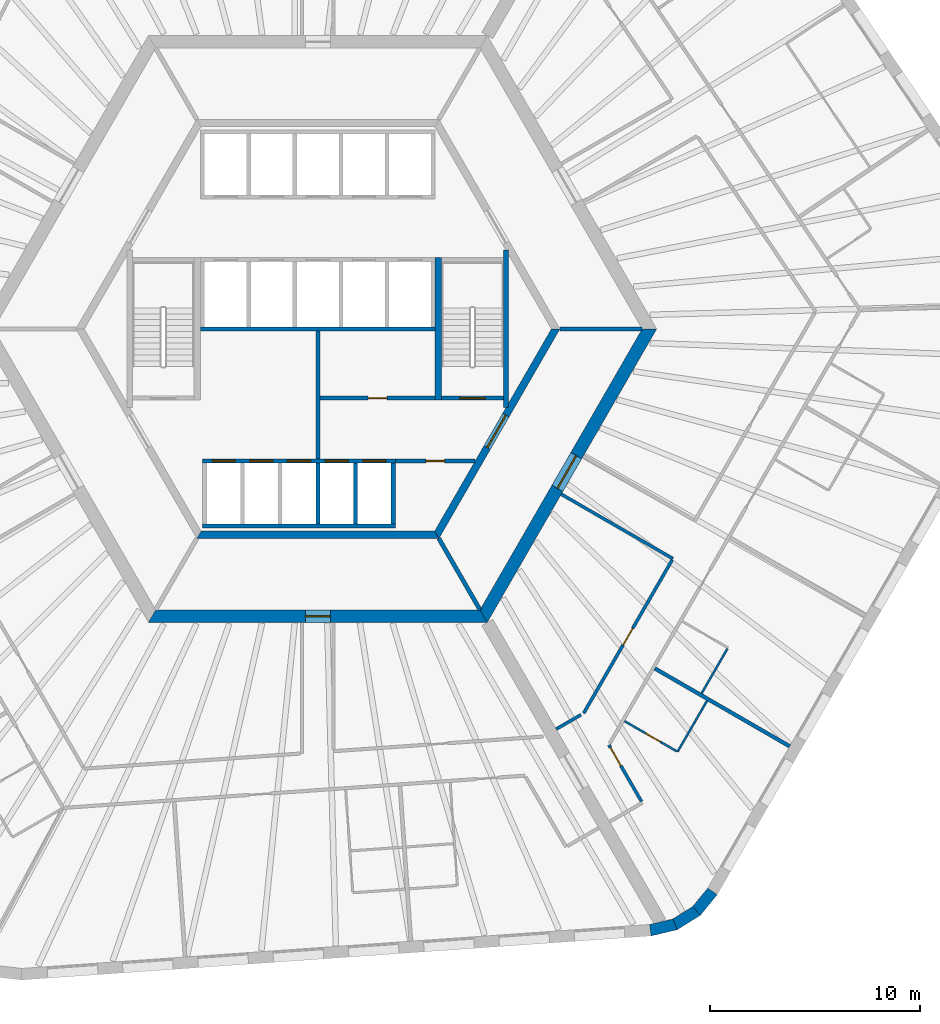
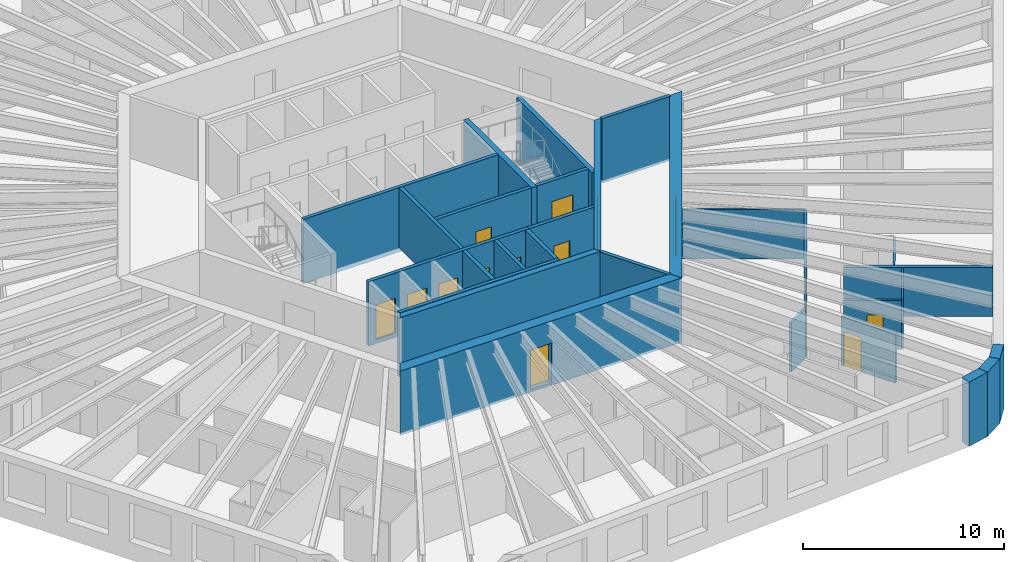
# One storey, part 5 of 11: 29 walls, 14 doors, 14 openings.
"""IFC4 building model written with IfcOpenShell, lengths in metres."""

from ifc_helpers import new_model, si_unit, direction, frame, frame_2d, origin, place, context, subcontext, project, spatial, polyline, rectangle, outline, extrude, material, layer, layer_set, type_object, element, fill, save


model = new_model("IFC4")

# Units and contexts
model_context = context("Model", 3, precision=1e-05, world=origin(), true_north=direction((0.0, 1.0)))
body_context = subcontext(model_context, "Body", "Model", "MODEL_VIEW")
ifc_project = project(units=[si_unit("LENGTHUNIT", "METRE"), si_unit("AREAUNIT", "SQUARE_METRE"), si_unit("VOLUMEUNIT", "CUBIC_METRE"), si_unit("PLANEANGLEUNIT", "RADIAN"), si_unit("MASSUNIT", "GRAM", prefix="KILO")], contexts=[model_context])

# Site, building, storey
site_placement = place(None, origin())
site = spatial("IfcSite", under=ifc_project, at=site_placement, CompositionType="ELEMENT")
building_placement = place(site_placement, origin())
building = spatial("IfcBuilding", under=site, at=building_placement, Name="Tarnside Tower", CompositionType="ELEMENT")
storey_placement = place(building_placement, frame((0.0, 0.0, 41.39990234375)))
storey = spatial("IfcBuildingStorey", under=building, at=storey_placement, Name="L07", CompositionType="ELEMENT", Elevation=41.39990234375)

# Wall
ifc_material_1 = material(Name="Gypsum board partition on steel studs", Category="steel")
ifc_layer_1 = layer(ifc_material_1, 0.10009765625)
ifc_layer_set_1 = layer_set([ifc_layer_1], Name="Bathroom wall 100")
wall_type_1 = type_object("IfcWallType", Name="Bathroom wall 100", PredefinedType="PARTITIONING", material=ifc_layer_set_1)
wall_1_placement = place(storey_placement, frame((18.56787109375, -17.739501953125, 0.0), z_axis=(0.0, 0.0, 1.0), x_axis=(-0.499998209175, -0.866026437715, 0.0)))
element("IfcWall", 1, at=wall_1_placement, inside=storey, type_object=wall_type_1, Name="Bathroom wall 01127", PredefinedType="PARTITIONING", context=body_context, shape_type="SweptSolid", body=[
    extrude(rectangle(XDim=2.81005859375, YDim=0.10009765625, at=frame_2d((1.405029296875, 0.0))), origin(), (0.0, 0.0, 1.0), 2.98779296875),
])

# Wall, opening, door
wall_2_placement = place(storey_placement, frame((17.11962890625, -20.14794921875, 0.0), z_axis=(0.0, 0.0, 1.0), x_axis=(-0.866039941686, 0.499974818771, 0.0)))
wall_2 = element("IfcWall", 2, at=wall_2_placement, inside=storey, type_object=wall_type_1, Name="Bathroom wall 01128", PredefinedType="PARTITIONING", context=body_context, shape_type="SweptSolid", body=[
    extrude(rectangle(XDim=2.875244140625, YDim=0.10009765625, at=frame_2d((1.4375, 0.0))), origin(), (0.0, 0.0, 1.0), 2.98779296875),
])
opening_1_placement = place(wall_2_placement, frame((0.89990234375, 0.0, 0.0)))
opening_1 = element("IfcOpeningElement", 3, at=opening_1_placement, cuts=wall_2, Name="Opening D-B1", PredefinedType="OPENING", context=body_context, shape_type="SweptSolid", body=[
    extrude(rectangle(XDim=0.800048828125, YDim=2.10009765625, at=frame_2d((0.39990234375, 1.050048828125))), frame((0.0, 0.06005859375, 0.0), z_axis=(0.0, -1.0, 0.0), x_axis=(1.0, 0.0, 0.0)), (0.0, 0.0, 1.0), 0.1201171875),
])
ifc_material_2 = material(Name="Timber door leaf", Category="wood")
door_type_1 = type_object("IfcDoorType", Name="Bathroom door 800", OperationType="NOTDEFINED", PredefinedType="DOOR", material=ifc_material_2)
door_1_placement = place(opening_1_placement, origin())
door_1 = element("IfcDoor", 4, at=door_1_placement, inside=storey, type_object=door_type_1, Name="Bathroom door 01028", OperationType="SINGLE_SWING_RIGHT", OverallHeight=2.10009765625, OverallWidth=0.800048828125, PredefinedType="DOOR", context=body_context, shape_type="SweptSolid", body=[
    extrude(rectangle(XDim=0.800048828125, YDim=2.10009765625, at=frame_2d((0.39990234375, 1.050048828125))), frame((0.0, 0.02490234375, 0.0), z_axis=(0.0, -1.0, 0.0), x_axis=(1.0, 0.0, 0.0)), (0.0, 0.0, 1.0), 0.050048828125),
])
fill(opening_1, door_1)

# Walls
wall_3_placement = place(storey_placement, frame((19.54150390625, -15.253173828125, 0.0), z_axis=(0.0, 0.0, 1.0), x_axis=(-0.500003092839, -0.866023618125, 0.0)))
element("IfcWall", 5, at=wall_3_placement, inside=storey, type_object=wall_type_1, Name="Bathroom wall 01133", PredefinedType="PARTITIONING", context=body_context, shape_type="SweptSolid", body=[
    extrude(rectangle(XDim=2.4599609375, YDim=0.10009765625, at=frame_2d((1.22998046875, 0.0))), origin(), (0.0, 0.0, 1.0), 2.98779296875),
])
ifc_material_3 = material(Name="Concrete C50/60", Category="concrete")
ifc_layer_2 = layer(ifc_material_3, 0.35009765625)
ifc_layer_set_2 = layer_set([ifc_layer_2], Name="Core block wall 350 C50/60")
wall_type_2 = type_object("IfcWallType", Name="Core block wall 350 C50/60", PredefinedType="SHEAR", material=ifc_layer_set_2)
wall_4_placement = place(storey_placement, frame((-5.672607421875, -9.824951171875, -0.14990234375), z_axis=(0.0, 0.0, 1.0), x_axis=(1.0, 0.0, 0.0)))
element("IfcWall", 6, at=wall_4_placement, inside=storey, type_object=wall_type_2, Name="L07 core block wall face 4", PredefinedType="SHEAR", context=body_context, shape_type="SweptSolid", body=[
    extrude(outline(polyline([(-0.10107421875, -0.175048828125), (11.4462890625, -0.175048828125), (11.244140625, 0.175048828125), (0.10107421875, 0.175048828125), (-0.10107421875, -0.175048828125)])), origin(), (0.0, 0.0, 1.0), 3.89990234375),
])

# Wall, opening, door
wall_5_placement = place(storey_placement, frame((5.672607421875, -9.824951171875, -0.14990234375), z_axis=(0.0, 0.0, 1.0), x_axis=(0.499995046907, 0.866028263435, 0.0)))
wall_5 = element("IfcWall", 7, at=wall_5_placement, inside=storey, type_object=wall_type_2, Name="L07 core block wall face 5", PredefinedType="SHEAR", context=body_context, shape_type="SweptSolid", body=[
    extrude(outline(polyline([(-0.10107421875, -0.175048828125), (11.44580078125, -0.175048828125), (11.24365234375, 0.175048828125), (0.10107421875, 0.175048828125), (-0.10107421875, -0.175048828125)])), origin(), (0.0, 0.0, 1.0), 3.89990234375),
])
opening_2_placement = place(wall_5_placement, frame((4.80126953125, 0.0, 0.14990234375)))
opening_2 = element("IfcOpeningElement", 8, at=opening_2_placement, cuts=wall_5, Name="Opening CD-FFL", PredefinedType="OPENING", context=body_context, shape_type="SweptSolid", body=[
    extrude(rectangle(XDim=1.800048828125, YDim=2.39990234375, at=frame_2d((0.89990234375, 1.199951171875))), frame((0.0, 0.18505859375, 0.0), z_axis=(0.0, -1.0, 0.0), x_axis=(1.0, 0.0, 0.0)), (0.0, 0.0, 1.0), 0.3701171875),
])
ifc_material_4 = material(Name="Steel fire door", Category="steel")
door_type_2 = type_object("IfcDoorType", Name="Firefighting lobby double door FD60S 1800x2400", OperationType="NOTDEFINED", PredefinedType="DOOR", material=ifc_material_4)
door_2_placement = place(opening_2_placement, origin())
door_2 = element("IfcDoor", 9, at=door_2_placement, inside=storey, type_object=door_type_2, Name="L07 lobby block door P4", OperationType="DOUBLE_DOOR_SINGLE_SWING", OverallHeight=2.39990234375, OverallWidth=1.800048828125, PredefinedType="DOOR", context=body_context, shape_type="SweptSolid", body=[
    extrude(rectangle(XDim=1.800048828125, YDim=2.39990234375, at=frame_2d((0.89990234375, 1.199951171875))), frame((0.0, 0.02490234375, 0.0), z_axis=(0.0, -1.0, 0.0), x_axis=(1.0, 0.0, 0.0)), (0.0, 0.0, 1.0), 0.050048828125),
])
fill(opening_2, door_2)

ifc_material_5 = material(Name="Concrete C40/50", Category="concrete")
ifc_layer_3 = layer(ifc_material_5, 0.199951171875)
ifc_layer_set_3 = layer_set([ifc_layer_3], Name="Core room partition 200 C40/50")
wall_type_3 = type_object("IfcWallType", Name="Core room partition 200 C40/50", PredefinedType="PARTITIONING", material=ifc_layer_set_3)
wall_6_placement = place(storey_placement, frame((0.10009765625, -3.300048828125, 0.0), z_axis=(0.0, 0.0, 1.0), x_axis=(1.0, 0.0, 0.0)))
wall_6 = element("IfcWall", 10, at=wall_6_placement, inside=storey, type_object=wall_type_3, Name="L07 core partition R3S1", PredefinedType="PARTITIONING", context=body_context, shape_type="SweptSolid", body=[
    extrude(rectangle(XDim=5.5, YDim=0.199951171875, at=frame_2d((2.75, 0.0))), origin(), (0.0, 0.0, 1.0), 3.650146484375),
])
opening_3_placement = place(wall_6_placement, frame((2.300048828125, 0.0, 0.0)))
opening_3 = element("IfcOpeningElement", 11, at=opening_3_placement, cuts=wall_6, Name="Opening CD-room", PredefinedType="OPENING", context=body_context, shape_type="SweptSolid", body=[
    extrude(rectangle(XDim=0.89990234375, YDim=2.10009765625, at=frame_2d((0.449951171875, 1.050048828125))), frame((0.0, 0.10986328125, 0.0), z_axis=(0.0, -1.0, 0.0), x_axis=(1.0, 0.0, 0.0)), (0.0, 0.0, 1.0), 0.219970703125),
])
door_type_3 = type_object("IfcDoorType", Name="Room door FD60 900x2100", OperationType="NOTDEFINED", PredefinedType="DOOR", material=ifc_material_4)
door_3_placement = place(opening_3_placement, origin())
door_3 = element("IfcDoor", 12, at=door_3_placement, inside=storey, type_object=door_type_3, Name="L07 core room door SR1", OperationType="SINGLE_SWING_LEFT", OverallHeight=2.10009765625, OverallWidth=0.89990234375, PredefinedType="DOOR", context=body_context, shape_type="SweptSolid", body=[
    extrude(rectangle(XDim=0.89990234375, YDim=2.10009765625, at=frame_2d((0.449951171875, 1.050048828125))), frame((0.0, 0.02490234375, 0.0), z_axis=(0.0, -1.0, 0.0), x_axis=(1.0, 0.0, 0.0)), (0.0, 0.0, 1.0), 0.050048828125),
])
fill(opening_3, door_3)

# Wall
wall_7_placement = place(storey_placement, frame((0.0, -6.199951171875, 0.0), z_axis=(0.0, 0.0, 1.0), x_axis=(0.0, 1.0, 0.0)))
element("IfcWall", 13, at=wall_7_placement, inside=storey, type_object=wall_type_3, Name="L07 core partition X0", PredefinedType="PARTITIONING", context=body_context, shape_type="SweptSolid", body=[
    extrude(rectangle(XDim=6.099853515625, YDim=0.199951171875, at=frame_2d((3.0498046875, 0.0))), origin(), (0.0, 0.0, 1.0), 3.650146484375),
])

# Wall, opening, door
wall_8_placement = place(storey_placement, frame((3.699951171875, -6.300048828125, 0.0), z_axis=(0.0, 0.0, 1.0), x_axis=(1.0, 0.0, 0.0)))
wall_8 = element("IfcWall", 14, at=wall_8_placement, inside=storey, type_object=wall_type_3, Name="L07 core partition R4X", PredefinedType="PARTITIONING", context=body_context, shape_type="SweptSolid", body=[
    extrude(rectangle(XDim=3.8056640625, YDim=0.199951171875, at=frame_2d((1.90283203125, 0.0))), origin(), (0.0, 0.0, 1.0), 3.650146484375),
])
opening_4_placement = place(wall_8_placement, frame((1.452880859375, 0.0, 0.0)))
opening_4 = element("IfcOpeningElement", 15, at=opening_4_placement, cuts=wall_8, Name="Opening CD-room", PredefinedType="OPENING", context=body_context, shape_type="SweptSolid", body=[
    extrude(rectangle(XDim=0.89990234375, YDim=2.10009765625, at=frame_2d((0.449951171875, 1.050048828125))), frame((0.0, 0.10986328125, 0.0), z_axis=(0.0, -1.0, 0.0), x_axis=(1.0, 0.0, 0.0)), (0.0, 0.0, 1.0), 0.219970703125),
])
door_4_placement = place(opening_4_placement, origin())
door_4 = element("IfcDoor", 16, at=door_4_placement, inside=storey, type_object=door_type_3, Name="L07 core room door RX", OperationType="SINGLE_SWING_LEFT", OverallHeight=2.10009765625, OverallWidth=0.89990234375, PredefinedType="DOOR", context=body_context, shape_type="SweptSolid", body=[
    extrude(rectangle(XDim=0.89990234375, YDim=2.10009765625, at=frame_2d((0.449951171875, 1.050048828125))), frame((0.0, 0.02490234375, 0.0), z_axis=(0.0, -1.0, 0.0), x_axis=(1.0, 0.0, 0.0)), (0.0, 0.0, 1.0), 0.050048828125),
])
fill(opening_4, door_4)

ifc_material_6 = material(Name="Concrete C80/95", Category="concrete")
ifc_layer_4 = layer(ifc_material_6, 0.60009765625)
ifc_layer_set_4 = layer_set([ifc_layer_4], Name="Core wall Z1 600 C80/95")
wall_type_4 = type_object("IfcWallType", Name="Core wall Z1 600 C80/95", PredefinedType="SHEAR", material=ifc_layer_set_4)
wall_9_placement = place(storey_placement, frame((-7.90966796875, -13.699951171875, -0.14990234375), z_axis=(0.0, 0.0, 1.0), x_axis=(1.0, 0.0, 0.0)))
wall_9 = element("IfcWall", 17, at=wall_9_placement, inside=storey, type_object=wall_type_4, Name="L07 core wall face 4", PredefinedType="SHEAR", context=body_context, shape_type="SweptSolid", body=[
    extrude(outline(polyline([(-0.17333984375, -0.300048828125), (15.99267578125, -0.300048828125), (15.64599609375, 0.300048828125), (0.17333984375, 0.300048828125), (-0.17333984375, -0.300048828125)])), origin(), (0.0, 0.0, 1.0), 3.89990234375),
])
opening_5_placement = place(wall_9_placement, frame((7.309814453125, 0.0, 0.14990234375)))
opening_5 = element("IfcOpeningElement", 18, at=opening_5_placement, cuts=wall_9, Name="Opening CD-RSR", PredefinedType="OPENING", context=body_context, shape_type="SweptSolid", body=[
    extrude(rectangle(XDim=1.199951171875, YDim=2.39990234375, at=frame_2d((0.60009765625, 1.199951171875))), frame((0.0, 0.31005859375, 0.0), z_axis=(0.0, -1.0, 0.0), x_axis=(1.0, 0.0, 0.0)), (0.0, 0.0, 1.0), 0.6201171875),
])
door_type_4 = type_object("IfcDoorType", Name="Riser door FD60 1200x2400", OperationType="NOTDEFINED", PredefinedType="DOOR", material=ifc_material_4)
door_5_placement = place(opening_5_placement, origin())
door_5 = element("IfcDoor", 19, at=door_5_placement, inside=storey, type_object=door_type_4, Name="L07 core door S6", OperationType="SINGLE_SWING_LEFT", OverallHeight=2.39990234375, OverallWidth=1.199951171875, PredefinedType="DOOR", context=body_context, shape_type="SweptSolid", body=[
    extrude(rectangle(XDim=1.199951171875, YDim=2.39990234375, at=frame_2d((0.60009765625, 1.199951171875))), frame((0.0, 0.02490234375, 0.0), z_axis=(0.0, -1.0, 0.0), x_axis=(1.0, 0.0, 0.0)), (0.0, 0.0, 1.0), 0.050048828125),
])
fill(opening_5, door_5)

wall_10_placement = place(storey_placement, frame((7.90966796875, -13.699951171875, -0.14990234375), z_axis=(0.0, 0.0, 1.0), x_axis=(0.499999880136, 0.866025472988, 0.0)))
wall_10 = element("IfcWall", 20, at=wall_10_placement, inside=storey, type_object=wall_type_4, Name="L07 core wall face 5", PredefinedType="SHEAR", context=body_context, shape_type="SweptSolid", body=[
    extrude(outline(polyline([(-0.17333984375, -0.300048828125), (15.99267578125, -0.300048828125), (15.64599609375, 0.300048828125), (0.17333984375, 0.300048828125), (-0.17333984375, -0.300048828125)])), origin(), (0.0, 0.0, 1.0), 3.89990234375),
])
opening_6_placement = place(wall_10_placement, frame((7.03857421875, 0.0, 0.14990234375)))
opening_6 = element("IfcOpeningElement", 21, at=opening_6_placement, cuts=wall_10, Name="Opening CD-FFL", PredefinedType="OPENING", context=body_context, shape_type="SweptSolid", body=[
    extrude(rectangle(XDim=1.800048828125, YDim=2.39990234375, at=frame_2d((0.89990234375, 1.199951171875))), frame((0.0, 0.31005859375, 0.0), z_axis=(0.0, -1.0, 0.0), x_axis=(1.0, 0.0, 0.0)), (0.0, 0.0, 1.0), 0.6201171875),
])
door_6_placement = place(opening_6_placement, origin())
door_6 = element("IfcDoor", 22, at=door_6_placement, inside=storey, type_object=door_type_2, Name="L07 core door P4", OperationType="DOUBLE_DOOR_SINGLE_SWING", OverallHeight=2.39990234375, OverallWidth=1.800048828125, PredefinedType="DOOR", context=body_context, shape_type="SweptSolid", body=[
    extrude(rectangle(XDim=1.800048828125, YDim=2.39990234375, at=frame_2d((0.89990234375, 1.199951171875))), frame((0.0, 0.02490234375, 0.0), z_axis=(0.0, -1.0, 0.0), x_axis=(1.0, 0.0, 0.0)), (0.0, 0.0, 1.0), 0.050048828125),
])
fill(opening_6, door_6)

ifc_layer_5 = layer(ifc_material_1, 0.14990234375)
ifc_layer_set_5 = layer_set([ifc_layer_5], Name="Corridor wall 150 EI 60")
wall_type_5 = type_object("IfcWallType", Name="Corridor wall 150 EI 60", PredefinedType="PARTITIONING", material=ifc_layer_set_5)
wall_11_placement = place(storey_placement, frame((15.44140625, -22.545166015625, 0.0), z_axis=(0.0, 0.0, 1.0), x_axis=(-0.500037089193, 0.86600398927, 0.0)))
wall_11 = element("IfcWall", 23, at=wall_11_placement, inside=storey, type_object=wall_type_5, Name="Corridor wall 01050", PredefinedType="PARTITIONING", context=body_context, shape_type="SweptSolid", body=[
    extrude(rectangle(XDim=3.112060546875, YDim=0.14990234375, at=frame_2d((1.55615234375, 0.0))), origin(), (0.0, 0.0, 1.0), 2.98779296875),
])
opening_7_placement = place(wall_11_placement, frame((1.962158203125, 0.0, 0.0)))
opening_7 = element("IfcOpeningElement", 24, at=opening_7_placement, cuts=wall_11, Name="Opening D-E1", PredefinedType="OPENING", context=body_context, shape_type="SweptSolid", body=[
    extrude(rectangle(XDim=1.0, YDim=2.10009765625, at=frame_2d((0.5, 1.050048828125))), frame((0.0, 0.0849609375, 0.0), z_axis=(0.0, -1.0, 0.0), x_axis=(1.0, 0.0, 0.0)), (0.0, 0.0, 1.0), 0.169921875),
])
door_type_5 = type_object("IfcDoorType", Name="Unit entrance door 1000 FD30S", OperationType="NOTDEFINED", PredefinedType="DOOR", material=ifc_material_2)
door_7_placement = place(opening_7_placement, origin())
door_7 = element("IfcDoor", 25, at=door_7_placement, inside=storey, type_object=door_type_5, Name="Unit door 01027", OperationType="SINGLE_SWING_LEFT", OverallHeight=2.10009765625, OverallWidth=1.0, PredefinedType="DOOR", context=body_context, shape_type="SweptSolid", body=[
    extrude(rectangle(XDim=1.0, YDim=2.10009765625, at=frame_2d((0.5, 1.050048828125))), frame((0.0, 0.02490234375, 0.0), z_axis=(0.0, -1.0, 0.0), x_axis=(1.0, 0.0, 0.0)), (0.0, 0.0, 1.0), 0.050048828125),
])
fill(opening_7, door_7)

# Wall
wall_12_placement = place(storey_placement, frame((11.61376953125, -7.88427734375, 0.0), z_axis=(0.0, 0.0, 1.0), x_axis=(0.866033542371, -0.499985903289, 0.0)))
element("IfcWall", 26, at=wall_12_placement, inside=storey, type_object=wall_type_5, Name="Corridor wall 01072", PredefinedType="PARTITIONING", context=body_context, shape_type="SweptSolid", body=[
    extrude(rectangle(XDim=6.150146484375, YDim=0.14990234375, at=frame_2d((3.0751953125, 0.0))), origin(), (0.0, 0.0, 1.0), 2.98779296875),
])

# Wall, opening, door
wall_13_placement = place(storey_placement, frame((16.90234375, -11.024169921875, 0.0), z_axis=(0.0, 0.0, 1.0), x_axis=(-0.499999527968, -0.866025676312, 0.0)))
wall_13 = element("IfcWall", 27, at=wall_13_placement, inside=storey, type_object=wall_type_5, Name="Corridor wall 01073", PredefinedType="PARTITIONING", context=body_context, shape_type="SweptSolid", body=[
    extrude(rectangle(XDim=8.44091796875, YDim=0.14990234375, at=frame_2d((4.220458984375, 0.0))), origin(), (0.0, 0.0, 1.0), 2.98779296875),
])
opening_8_placement = place(wall_13_placement, frame((3.7705078125, 0.0, 0.0)))
opening_8 = element("IfcOpeningElement", 28, at=opening_8_placement, cuts=wall_13, Name="Opening D-S1", PredefinedType="OPENING", context=body_context, shape_type="SweptSolid", body=[
    extrude(rectangle(XDim=0.89990234375, YDim=2.10009765625, at=frame_2d((0.449951171875, 1.050048828125))), frame((0.0, 0.0849609375, 0.0), z_axis=(0.0, -1.0, 0.0), x_axis=(1.0, 0.0, 0.0)), (0.0, 0.0, 1.0), 0.169921875),
])
door_type_6 = type_object("IfcDoorType", Name="Service room door 900 FD30S", OperationType="NOTDEFINED", PredefinedType="DOOR", material=ifc_material_2)
door_8_placement = place(opening_8_placement, origin())
door_8 = element("IfcDoor", 29, at=door_8_placement, inside=storey, type_object=door_type_6, Name="Service door 01049", OperationType="SINGLE_SWING_RIGHT", OverallHeight=2.10009765625, OverallWidth=0.89990234375, PredefinedType="DOOR", context=body_context, shape_type="SweptSolid", body=[
    extrude(rectangle(XDim=0.89990234375, YDim=2.10009765625, at=frame_2d((0.449951171875, 1.050048828125))), frame((0.0, 0.02490234375, 0.0), z_axis=(0.0, -1.0, 0.0), x_axis=(1.0, 0.0, 0.0)), (0.0, 0.0, 1.0), 0.050048828125),
])
fill(opening_8, door_8)

# Walls
wall_14_placement = place(storey_placement, frame((12.552001953125, -18.409423828125, 0.0), z_axis=(0.0, 0.0, 1.0), x_axis=(-0.866078408764, -0.499908181442, 0.0)))
element("IfcWall", 30, at=wall_14_placement, inside=storey, type_object=wall_type_5, Name="Corridor wall 01074", PredefinedType="PARTITIONING", context=body_context, shape_type="SweptSolid", body=[
    extrude(rectangle(XDim=1.365478515625, YDim=0.14990234375, at=frame_2d((0.6826171875, 0.0))), origin(), (0.0, 0.0, 1.0), 2.98779296875),
])
ifc_layer_6 = layer(ifc_material_1, 0.179931640625)
ifc_layer_set_6 = layer_set([ifc_layer_6], Name="Demising wall 180 EI 60")
wall_type_6 = type_object("IfcWallType", Name="Demising wall 180 EI 60", PredefinedType="PARTITIONING", material=ifc_layer_set_6)
wall_15_placement = place(storey_placement, frame((22.510009765625, -19.91162109375, 0.0), z_axis=(0.0, 0.0, 1.0), x_axis=(-0.866014745021, 0.500018461065, 0.0)))
element("IfcWall", 31, at=wall_15_placement, inside=storey, type_object=wall_type_6, Name="Demising wall 01129", PredefinedType="PARTITIONING", context=body_context, shape_type="SweptSolid", body=[
    extrude(rectangle(XDim=7.425048828125, YDim=0.179931640625, at=frame_2d((3.71240234375, 0.0))), origin(), (0.0, 0.0, 1.0), 2.98779296875),
])
ifc_layer_7 = layer(ifc_material_5, 0.199951171875)
ifc_layer_set_7 = layer_set([ifc_layer_7], Name="Lift shaft wall 200 C40/50")
wall_type_7 = type_object("IfcWallType", Name="Lift shaft wall 200 C40/50", PredefinedType="SHEAR", material=ifc_layer_set_7)
wall_16_placement = place(storey_placement, frame((-5.60009765625, 0.0, -0.25), z_axis=(0.0, 0.0, 1.0), x_axis=(1.0, 0.0, 0.0)))
element("IfcWall", 32, at=wall_16_placement, inside=storey, type_object=wall_type_7, Name="L07 lift shaft back wall R2", PredefinedType="SHEAR", context=body_context, shape_type="SweptSolid", body=[
    extrude(rectangle(XDim=11.2001953125, YDim=0.199951171875, at=frame_2d((5.60009765625, 0.0))), origin(), (0.0, 0.0, 1.0), 3.900146484375),
])

# Wall, openings, doors
wall_17_placement = place(storey_placement, frame((-5.5, -6.300048828125, -0.25), z_axis=(0.0, 0.0, 1.0), x_axis=(1.0, 0.0, 0.0)))
wall_17 = element("IfcWall", 33, at=wall_17_placement, inside=storey, type_object=wall_type_7, Name="L07 lift shaft front wall R4", PredefinedType="SHEAR", context=body_context, shape_type="SweptSolid", body=[
    extrude(rectangle(XDim=9.199951171875, YDim=0.199951171875, at=frame_2d((4.60009765625, 0.0))), origin(), (0.0, 0.0, 1.0), 3.900146484375),
])
opening_9_placement = place(wall_17_placement, frame((0.449951171875, 0.0, 0.25)))
opening_9 = element("IfcOpeningElement", 34, at=opening_9_placement, cuts=wall_17, Name="Opening LDF", PredefinedType="OPENING", context=body_context, shape_type="SweptSolid", body=[
    extrude(rectangle(XDim=1.10009765625, YDim=2.10009765625, at=frame_2d((0.550048828125, 1.050048828125))), frame((0.0, 0.10986328125, 0.0), z_axis=(0.0, -1.0, 0.0), x_axis=(1.0, 0.0, 0.0)), (0.0, 0.0, 1.0), 0.219970703125),
])
opening_10_placement = place(wall_17_placement, frame((2.25, 0.0, 0.25)))
opening_10 = element("IfcOpeningElement", 35, at=opening_10_placement, cuts=wall_17, Name="Opening LDF", PredefinedType="OPENING", context=body_context, shape_type="SweptSolid", body=[
    extrude(rectangle(XDim=1.10009765625, YDim=2.10009765625, at=frame_2d((0.550048828125, 1.050048828125))), frame((0.0, 0.10986328125, 0.0), z_axis=(0.0, -1.0, 0.0), x_axis=(1.0, 0.0, 0.0)), (0.0, 0.0, 1.0), 0.219970703125),
])
opening_11_placement = place(wall_17_placement, frame((4.050048828125, 0.0, 0.25)))
opening_11 = element("IfcOpeningElement", 36, at=opening_11_placement, cuts=wall_17, Name="Opening LDF", PredefinedType="OPENING", context=body_context, shape_type="SweptSolid", body=[
    extrude(rectangle(XDim=1.10009765625, YDim=2.10009765625, at=frame_2d((0.550048828125, 1.050048828125))), frame((0.0, 0.10986328125, 0.0), z_axis=(0.0, -1.0, 0.0), x_axis=(1.0, 0.0, 0.0)), (0.0, 0.0, 1.0), 0.219970703125),
])
opening_12_placement = place(wall_17_placement, frame((5.85009765625, 0.0, 0.25)))
opening_12 = element("IfcOpeningElement", 37, at=opening_12_placement, cuts=wall_17, Name="Opening LDF", PredefinedType="OPENING", context=body_context, shape_type="SweptSolid", body=[
    extrude(rectangle(XDim=1.10009765625, YDim=2.10009765625, at=frame_2d((0.550048828125, 1.050048828125))), frame((0.0, 0.10986328125, 0.0), z_axis=(0.0, -1.0, 0.0), x_axis=(1.0, 0.0, 0.0)), (0.0, 0.0, 1.0), 0.219970703125),
])
opening_13_placement = place(wall_17_placement, frame((7.64990234375, 0.0, 0.25)))
opening_13 = element("IfcOpeningElement", 38, at=opening_13_placement, cuts=wall_17, Name="Opening LDF", PredefinedType="OPENING", context=body_context, shape_type="SweptSolid", body=[
    extrude(rectangle(XDim=1.10009765625, YDim=2.10009765625, at=frame_2d((0.550048828125, 1.050048828125))), frame((0.0, 0.10986328125, 0.0), z_axis=(0.0, -1.0, 0.0), x_axis=(1.0, 0.0, 0.0)), (0.0, 0.0, 1.0), 0.219970703125),
])
ifc_material_7 = material(Name="Stainless steel", Category="steel")
door_type_7 = type_object("IfcDoorType", Name="Lift landing door 1100x2100 EI 120", OperationType="NOTDEFINED", PredefinedType="DOOR", material=ifc_material_7)
door_9_placement = place(opening_9_placement, origin())
door_9 = element("IfcDoor", 39, at=door_9_placement, inside=storey, type_object=door_type_7, Name="Firefighting lift 1 landing door L07", OperationType="SLIDING_TO_LEFT", OverallHeight=2.10009765625, OverallWidth=1.10009765625, PredefinedType="DOOR", context=body_context, shape_type="SweptSolid", body=[
    extrude(rectangle(XDim=1.10009765625, YDim=2.10009765625, at=frame_2d((0.550048828125, 1.050048828125))), frame((0.0, 0.02490234375, 0.0), z_axis=(0.0, -1.0, 0.0), x_axis=(1.0, 0.0, 0.0)), (0.0, 0.0, 1.0), 0.050048828125),
])
fill(opening_9, door_9)
door_10_placement = place(opening_10_placement, origin())
door_10 = element("IfcDoor", 40, at=door_10_placement, inside=storey, type_object=door_type_7, Name="Firefighting lift 2 landing door L07", OperationType="SLIDING_TO_LEFT", OverallHeight=2.10009765625, OverallWidth=1.10009765625, PredefinedType="DOOR", context=body_context, shape_type="SweptSolid", body=[
    extrude(rectangle(XDim=1.10009765625, YDim=2.10009765625, at=frame_2d((0.550048828125, 1.050048828125))), frame((0.0, 0.02490234375, 0.0), z_axis=(0.0, -1.0, 0.0), x_axis=(1.0, 0.0, 0.0)), (0.0, 0.0, 1.0), 0.050048828125),
])
fill(opening_10, door_10)
door_11_placement = place(opening_11_placement, origin())
door_11 = element("IfcDoor", 41, at=door_11_placement, inside=storey, type_object=door_type_7, Name="Firefighting lift 3 landing door L07", OperationType="SLIDING_TO_LEFT", OverallHeight=2.10009765625, OverallWidth=1.10009765625, PredefinedType="DOOR", context=body_context, shape_type="SweptSolid", body=[
    extrude(rectangle(XDim=1.10009765625, YDim=2.10009765625, at=frame_2d((0.550048828125, 1.050048828125))), frame((0.0, 0.02490234375, 0.0), z_axis=(0.0, -1.0, 0.0), x_axis=(1.0, 0.0, 0.0)), (0.0, 0.0, 1.0), 0.050048828125),
])
fill(opening_11, door_11)
door_12_placement = place(opening_12_placement, origin())
door_12 = element("IfcDoor", 42, at=door_12_placement, inside=storey, type_object=door_type_7, Name="Firefighting lift 4 landing door L07", OperationType="SLIDING_TO_LEFT", OverallHeight=2.10009765625, OverallWidth=1.10009765625, PredefinedType="DOOR", context=body_context, shape_type="SweptSolid", body=[
    extrude(rectangle(XDim=1.10009765625, YDim=2.10009765625, at=frame_2d((0.550048828125, 1.050048828125))), frame((0.0, 0.02490234375, 0.0), z_axis=(0.0, -1.0, 0.0), x_axis=(1.0, 0.0, 0.0)), (0.0, 0.0, 1.0), 0.050048828125),
])
fill(opening_12, door_12)
door_13_placement = place(opening_13_placement, origin())
door_13 = element("IfcDoor", 43, at=door_13_placement, inside=storey, type_object=door_type_7, Name="Firefighting lift 5 landing door L07", OperationType="SLIDING_TO_LEFT", OverallHeight=2.10009765625, OverallWidth=1.10009765625, PredefinedType="DOOR", context=body_context, shape_type="SweptSolid", body=[
    extrude(rectangle(XDim=1.10009765625, YDim=2.10009765625, at=frame_2d((0.550048828125, 1.050048828125))), frame((0.0, 0.02490234375, 0.0), z_axis=(0.0, -1.0, 0.0), x_axis=(1.0, 0.0, 0.0)), (0.0, 0.0, 1.0), 0.050048828125),
])
fill(opening_13, door_13)

# Walls
wall_18_placement = place(storey_placement, frame((-5.5, -9.39990234375, -0.25), z_axis=(0.0, 0.0, 1.0), x_axis=(1.0, 0.0, 0.0)))
element("IfcWall", 44, at=wall_18_placement, inside=storey, type_object=wall_type_7, Name="L07 lift shaft back wall R4", PredefinedType="SHEAR", context=body_context, shape_type="SweptSolid", body=[
    extrude(rectangle(XDim=9.199951171875, YDim=0.199951171875, at=frame_2d((4.60009765625, 0.0))), origin(), (0.0, 0.0, 1.0), 3.900146484375),
])
for number, where, z_axis, x_axis, name in (
    (45, (0.0, -9.300048828125, -0.25), (0.0, 0.0, 1.0), (0.0, 1.0, 0.0), "L07 lift shaft partition R44"),
    (46, (1.800048828125, -9.300048828125, -0.25), (0.0, 0.0, 1.0), (0.0, 1.0, 0.0), "L07 lift shaft partition R45"),
    (47, (3.60009765625, -9.300048828125, -0.25), (0.0, 0.0, 1.0), (0.0, 1.0, 0.0), "L07 lift shaft partition R46"),
):
    element("IfcWall", number, at=place(storey_placement, frame(where, z_axis=z_axis, x_axis=x_axis)), inside=storey, type_object=wall_type_7, Name=name, PredefinedType="SHEAR", context=body_context, shape_type="SweptSolid", body=[
        extrude(rectangle(XDim=2.900146484375, YDim=0.199951171875, at=frame_2d((1.4501953125, 0.0))), origin(), (0.0, 0.0, 1.0), 3.900146484375),
    ])
wall_19_placement = place(storey_placement, frame((11.547119140625, 0.0, -0.14990234375), z_axis=(0.0, 0.0, 1.0), x_axis=(1.0, 0.0, 0.0)))
element("IfcWall", 48, at=wall_19_placement, inside=storey, type_object=wall_type_7, Name="L07 core partition AR0", PredefinedType="SHEAR", context=body_context, shape_type="SweptSolid", body=[
    extrude(rectangle(XDim=3.92578125, YDim=0.199951171875, at=frame_2d((1.962890625, 0.0))), origin(), (0.0, 0.0, 1.0), 3.89990234375),
])
wall_20_placement = place(storey_placement, frame((5.7734375, -10.0, -0.14990234375), z_axis=(0.0, 0.0, 1.0), x_axis=(0.500038251005, -0.86600331843, 0.0)))
element("IfcWall", 49, at=wall_20_placement, inside=storey, type_object=wall_type_7, Name="L07 core partition AR300", PredefinedType="SHEAR", context=body_context, shape_type="SweptSolid", body=[
    extrude(rectangle(XDim=3.926025390625, YDim=0.199951171875, at=frame_2d((1.962890625, 0.0))), origin(), (0.0, 0.0, 1.0), 3.89990234375),
])

# Wall, opening, door
wall_21_placement = place(storey_placement, frame((5.89990234375, -3.300048828125, -0.25), z_axis=(0.0, 0.0, 1.0), x_axis=(1.0, 0.0, 0.0)))
wall_21 = element("IfcWall", 50, at=wall_21_placement, inside=storey, type_object=wall_type_7, Name="L07 stair 1 enclosure cap wall s", PredefinedType="SHEAR", context=body_context, shape_type="SweptSolid", body=[
    extrude(rectangle(XDim=2.9501953125, YDim=0.199951171875, at=frame_2d((1.47509765625, 0.0))), origin(), (0.0, 0.0, 1.0), 3.900146484375),
])
opening_14_placement = place(wall_21_placement, frame((0.875, 0.0, 0.25)))
opening_14 = element("IfcOpeningElement", 51, at=opening_14_placement, cuts=wall_21, Name="Opening CD-STR", PredefinedType="OPENING", context=body_context, shape_type="SweptSolid", body=[
    extrude(rectangle(XDim=1.199951171875, YDim=2.39990234375, at=frame_2d((0.60009765625, 1.199951171875))), frame((0.0, 0.10986328125, 0.0), z_axis=(0.0, -1.0, 0.0), x_axis=(1.0, 0.0, 0.0)), (0.0, 0.0, 1.0), 0.219970703125),
])
door_type_8 = type_object("IfcDoorType", Name="Stair door FD60S 1200x2400", OperationType="NOTDEFINED", PredefinedType="DOOR", material=ifc_material_4)
door_14_placement = place(opening_14_placement, origin())
door_14 = element("IfcDoor", 52, at=door_14_placement, inside=storey, type_object=door_type_8, Name="L07 stair 1 door", OperationType="SINGLE_SWING_LEFT", OverallHeight=2.39990234375, OverallWidth=1.199951171875, PredefinedType="DOOR", context=body_context, shape_type="SweptSolid", body=[
    extrude(rectangle(XDim=1.199951171875, YDim=2.39990234375, at=frame_2d((0.60009765625, 1.199951171875))), frame((0.0, 0.02490234375, 0.0), z_axis=(0.0, -1.0, 0.0), x_axis=(1.0, 0.0, 0.0)), (0.0, 0.0, 1.0), 0.050048828125),
])
fill(opening_14, door_14)

# Walls
ifc_layer_8 = layer(ifc_material_5, 0.25)
ifc_layer_set_8 = layer_set([ifc_layer_8], Name="Stair enclosure wall 250 C40/50")
wall_type_8 = type_object("IfcWallType", Name="Stair enclosure wall 250 C40/50", PredefinedType="SHEAR", material=ifc_layer_set_8)
wall_22_placement = place(storey_placement, frame((8.97509765625, -3.7548828125, -0.25), z_axis=(0.0, 0.0, 1.0), x_axis=(0.0, 1.0, 0.0)))
element("IfcWall", 53, at=wall_22_placement, inside=storey, type_object=wall_type_8, Name="L07 stair 1 enclosure wall outer", PredefinedType="SHEAR", context=body_context, shape_type="SweptSolid", body=[
    extrude(rectangle(XDim=7.509765625, YDim=0.25, at=frame_2d((3.7548828125, 0.0))), origin(), (0.0, 0.0, 1.0), 3.900146484375),
])
ifc_layer_9 = layer(ifc_material_5, 0.300048828125)
ifc_layer_set_9 = layer_set([ifc_layer_9], Name="Stair enclosure wall 300 C40/50")
wall_type_9 = type_object("IfcWallType", Name="Stair enclosure wall 300 C40/50", PredefinedType="SHEAR", material=ifc_layer_set_9)
wall_23_placement = place(storey_placement, frame((5.75, -3.39990234375, -0.25), z_axis=(0.0, 0.0, 1.0), x_axis=(0.0, 1.0, 0.0)))
element("IfcWall", 54, at=wall_23_placement, inside=storey, type_object=wall_type_9, Name="L07 stair 1 enclosure wall inner", PredefinedType="SHEAR", context=body_context, shape_type="SweptSolid", body=[
    extrude(rectangle(XDim=6.7998046875, YDim=0.300048828125, at=frame_2d((3.39990234375, 0.0))), origin(), (0.0, 0.0, 1.0), 3.900146484375),
])
ifc_material_8 = material(Name="Facing brick", Category="masonry")
ifc_layer_10 = layer(ifc_material_8, 0.10205078125)
ifc_material_9 = material(Name="Concrete C60/75 precast", Category="concrete")
ifc_layer_11 = layer(ifc_material_9, 0.347900390625)
ifc_material_10 = material(Name="Mineral wool insulation")
ifc_layer_12 = layer(ifc_material_10, 0.10009765625)
ifc_layer_set_10 = layer_set([ifc_layer_10, ifc_layer_11, ifc_layer_12], Name="Tube wall 550 brick faced")
wall_type_10 = type_object("IfcWallType", Name="Tube wall 550 brick faced", PredefinedType="SOLIDWALL", material=ifc_layer_set_10)
wall_24_placement = place(storey_placement, frame((15.8642578125, -28.688232421875, -0.14990234375), z_axis=(0.0, 0.0, 1.0), x_axis=(0.973063591128, 0.230536868247, 0.0)))
element("IfcWall", 55, at=wall_24_placement, inside=storey, type_object=wall_type_10, Name="Tube wall L07 F4 chord 13", PredefinedType="SOLIDWALL", context=body_context, shape_type="SweptSolid", body=[
    extrude(outline(polyline([(-0.0224609375, -0.27490234375), (1.25341796875, -0.27490234375), (1.1630859375, 0.27490234375), (0.0224609375, 0.27490234375), (-0.0224609375, -0.27490234375)])), origin(), (0.0, 0.0, 1.0), 3.89990234375),
])
wall_25_placement = place(storey_placement, frame((17.0400390625, -28.40966796875, -0.14990234375), z_axis=(0.0, 0.0, 1.0), x_axis=(0.847952888306, 0.530071598195, 0.0)))
element("IfcWall", 56, at=wall_25_placement, inside=storey, type_object=wall_type_10, Name="Tube wall L07 F4 chord 14", PredefinedType="SOLIDWALL", context=body_context, shape_type="SweptSolid", body=[
    extrude(outline(polyline([(-0.045166015625, -0.27490234375), (1.253173828125, -0.27490234375), (1.162841796875, 0.27490234375), (0.045166015625, 0.27490234375), (-0.045166015625, -0.27490234375)])), origin(), (0.0, 0.0, 1.0), 3.89990234375),
])
wall_26_placement = place(storey_placement, frame((18.064453125, -27.769287109375, -0.14990234375), z_axis=(0.0, 0.0, 1.0), x_axis=(0.633842757806, 0.773461930787, 0.0)))
element("IfcWall", 57, at=wall_26_placement, inside=storey, type_object=wall_type_10, Name="Tube wall L07 F4 chord 15", PredefinedType="SOLIDWALL", context=body_context, shape_type="SweptSolid", body=[
    extrude(outline(polyline([(-0.045166015625, -0.27490234375), (1.230712890625, -0.27490234375), (1.185791015625, 0.27490234375), (0.045166015625, 0.27490234375), (-0.045166015625, -0.27490234375)])), origin(), (0.0, 0.0, 1.0), 3.89990234375),
])

save(model, "model.ifc")
